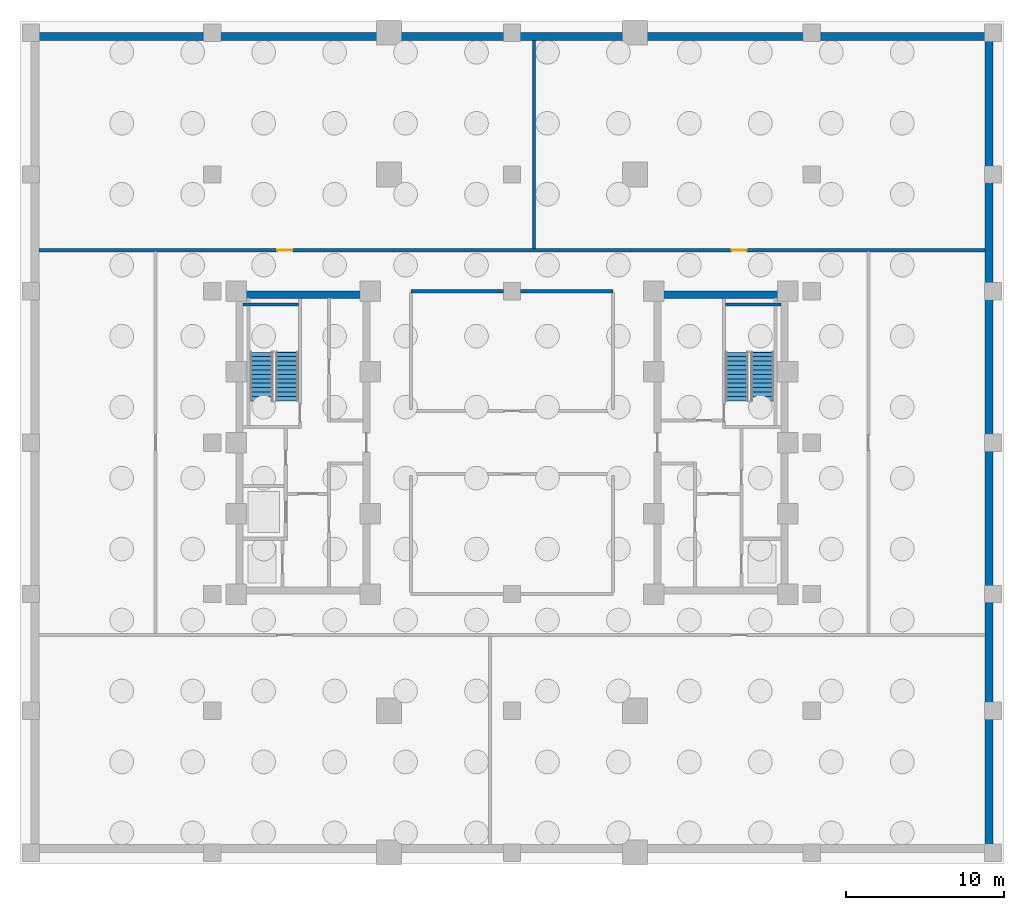
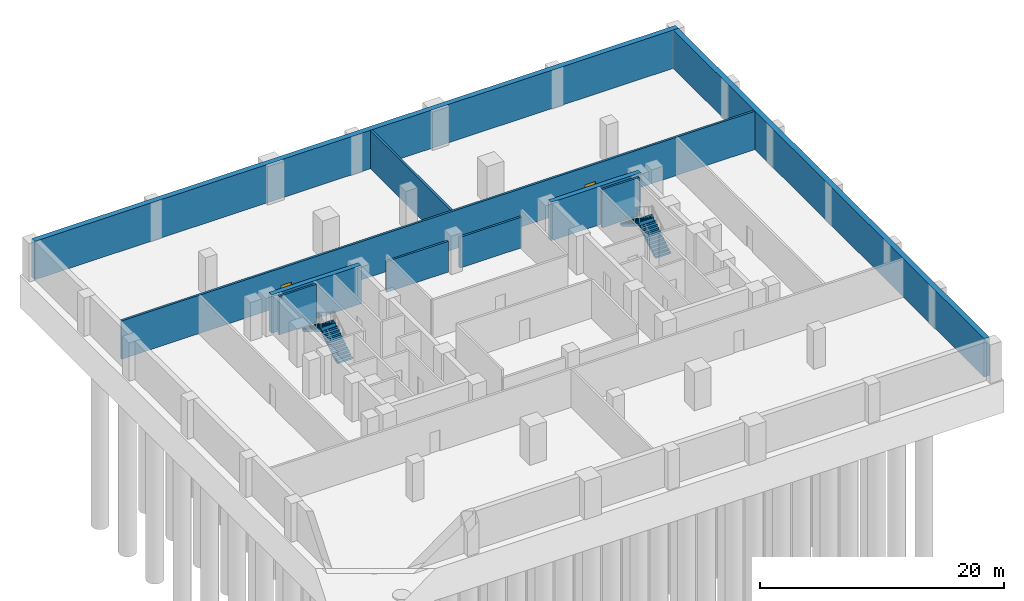
# One storey, part 4 of 6: 10 walls, 4 stair flights, 2 doors, 2 openings, 2 elements without a shape of their own.
"""IFC4 building model written with IfcOpenShell, lengths in metres."""

from ifc_helpers import new_model, si_unit, direction, frame, frame_2d, origin, place, context, subcontext, project, spatial, polyline, rectangle, outline, extrude, source, transform, mapped, material, layer, layer_set, type_object, type_shapes, element, fill, aggregate, save


model = new_model("IFC4")

# Units and contexts
model_context = context("Model", 3, precision=1e-05, world=origin(), true_north=direction((0.0, 1.0)))
body_context = subcontext(model_context, "Body", "Model", "MODEL_VIEW")
ifc_project = project(units=[si_unit("LENGTHUNIT", "METRE"), si_unit("AREAUNIT", "SQUARE_METRE"), si_unit("VOLUMEUNIT", "CUBIC_METRE"), si_unit("PLANEANGLEUNIT", "RADIAN"), si_unit("MASSUNIT", "GRAM", prefix="KILO")], contexts=[model_context])

# Site, building, storey
site_placement = place(None, origin())
site = spatial("IfcSite", under=ifc_project, at=site_placement, CompositionType="ELEMENT")
building_placement = place(site_placement, origin())
building = spatial("IfcBuilding", under=site, at=building_placement, Name="Nuvemarco Arch Tower", CompositionType="ELEMENT")
storey_placement = place(building_placement, frame((0.0, 0.0, -8.39990234375)))
storey = spatial("IfcBuildingStorey", under=building, at=storey_placement, Name="B02", CompositionType="ELEMENT", Elevation=-8.39990234375)

# Walls
ifc_material_1 = material(Name="Concrete C60/75", Category="concrete")
ifc_layer_1 = layer(ifc_material_1, 0.449951171875, Name="WL-CORE-450")
ifc_layer_set_1 = layer_set([ifc_layer_1], Name="Concrete C60/75")
wall_type_1 = type_object("IfcWallType", Name="WL-CORE-450", PredefinedType="SHEAR", material=ifc_layer_set_1)
for number, where, z_axis, x_axis, name in (
    (1, (-17.5, 9.375, 0.0), (0.0, 0.0, 1.0), (1.0, 0.0, 0.0), "B02 W-core shear wall N"),
    (2, (9.0, 9.375, 0.0), (0.0, 0.0, 1.0), (1.0, 0.0, 0.0), "B02 E-core shear wall N"),
):
    element("IfcWall", number, at=place(storey_placement, frame(where, z_axis=z_axis, x_axis=x_axis)), inside=storey, type_object=wall_type_1, Name=name, PredefinedType="SHEAR", context=body_context, shape_type="SweptSolid", body=[
        extrude(rectangle(XDim=8.5, YDim=0.449951171875, at=frame_2d((4.25, 0.0))), origin(), (0.0, 0.0, 1.0), 3.849853515625),
    ])
ifc_material_2 = material(Name="Precast concrete C45/55", Category="concrete")
ifc_layer_2 = layer(ifc_material_2, 0.199951171875, Name="WL-PLANT-200")
ifc_layer_set_2 = layer_set([ifc_layer_2], Name="Precast concrete C45/55")
wall_type_2 = type_object("IfcWallType", Name="WL-PLANT-200", PredefinedType="STANDARD", material=ifc_layer_set_2)
for number, where, z_axis, x_axis, name in (
    (3, (-6.39990234375, 9.60009765625, 0.0), (0.0, 0.0, 1.0), (1.0, 0.0, 0.0), "B02 interior wall IW-B02-006"),
    (4, (0.5458984375, 9.60009765625, 0.0), (0.0, 0.0, 1.0), (1.0, 0.0, 0.0), "B02 interior wall IW-B02-007"),
):
    element("IfcWall", number, at=place(storey_placement, frame(where, z_axis=z_axis, x_axis=x_axis)), inside=storey, type_object=wall_type_2, Name=name, PredefinedType="STANDARD", context=body_context, shape_type="SweptSolid", body=[
        extrude(rectangle(XDim=5.85400390625, YDim=0.199951171875, at=frame_2d((2.927001953125, 0.0))), origin(), (0.0, 0.0, 1.0), 3.0849609375),
    ])

# Wall, openings, doors
wall_1_placement = place(storey_placement, frame((-30.0, 12.199951171875, 0.0), z_axis=(0.0, 0.0, 1.0), x_axis=(1.0, 0.0, 0.0)))
wall_1 = element("IfcWall", 5, at=wall_1_placement, inside=storey, type_object=wall_type_2, Name="B02 interior wall IW-B02-008", PredefinedType="STANDARD", context=body_context, shape_type="SweptSolid", body=[
    extrude(rectangle(XDim=60.0, YDim=0.199951171875, at=frame_2d((30.0, 0.0))), origin(), (0.0, 0.0, 1.0), 3.83984375),
])
opening_1_placement = place(wall_1_placement, frame((15.1201171875, 0.0, 0.0)))
opening_1 = element("IfcOpeningElement", 6, at=opening_1_placement, cuts=wall_1, Name="Opening FD-5", PredefinedType="OPENING", context=body_context, shape_type="SweptSolid", body=[
    extrude(rectangle(XDim=0.9599609375, YDim=2.10009765625, at=frame_2d((0.47998046875, 1.050048828125))), frame((0.0, 0.10986328125, 0.0), z_axis=(0.0, -1.0, 0.0), x_axis=(1.0, 0.0, 0.0)), (0.0, 0.0, 1.0), 0.219970703125),
])
opening_2_placement = place(wall_1_placement, frame((43.919921875, 0.0, 0.0)))
opening_2 = element("IfcOpeningElement", 7, at=opening_2_placement, cuts=wall_1, Name="Opening FD-5", PredefinedType="OPENING", context=body_context, shape_type="SweptSolid", body=[
    extrude(rectangle(XDim=0.9599609375, YDim=2.10009765625, at=frame_2d((0.47998046875, 1.050048828125))), frame((0.0, 0.10986328125, 0.0), z_axis=(0.0, -1.0, 0.0), x_axis=(1.0, 0.0, 0.0)), (0.0, 0.0, 1.0), 0.219970703125),
])
ifc_material_3 = material(Name="Timber fire door", Category="wood")
door_type = type_object("IfcDoorType", Name="DR-CORR-FD", OperationType="NOTDEFINED", PredefinedType="DOOR", material=ifc_material_3)
shared_shape = source(origin(), body_context, "Body", "SweptSolid", [
    extrude(rectangle(XDim=0.9599609375, YDim=2.10009765625, at=frame_2d((0.47998046875, 1.050048828125))), frame((0.0, 0.02490234375, 0.0), z_axis=(0.0, -1.0, 0.0), x_axis=(1.0, 0.0, 0.0)), (0.0, 0.0, 1.0), 0.050048828125),
])
type_shapes(door_type, [shared_shape])
door_1_placement = place(opening_1_placement, origin())
door_1 = element("IfcDoor", 8, at=door_1_placement, inside=storey, type_object=door_type, Name="B02 door DR-B02-B02_PUMP", OperationType="SINGLE_SWING_RIGHT", OverallHeight=2.10009765625, OverallWidth=0.9599609375, PredefinedType="DOOR", context=body_context, shape_type="MappedRepresentation", body=[
    mapped(shared_shape, transform((0.0, 0.0, 0.0), scale=1.0)),
])
fill(opening_1, door_1)
door_2_placement = place(opening_2_placement, origin())
door_2 = element("IfcDoor", 9, at=door_2_placement, inside=storey, type_object=door_type, Name="B02 door DR-B02-B02_HEAT", OperationType="SINGLE_SWING_LEFT", OverallHeight=2.10009765625, OverallWidth=0.9599609375, PredefinedType="DOOR", context=body_context, shape_type="MappedRepresentation", body=[
    mapped(shared_shape, transform((0.0, 0.0, 0.0), scale=1.0)),
])
fill(opening_2, door_2)

# Walls
wall_2_placement = place(storey_placement, frame((1.39990234375, 12.2958984375, 0.0), z_axis=(0.0, 0.0, 1.0), x_axis=(0.0, 1.0, 0.0)))
element("IfcWall", 10, at=wall_2_placement, inside=storey, type_object=wall_type_2, Name="B02 interior wall IW-B02-013", PredefinedType="STANDARD", context=body_context, shape_type="SweptSolid", body=[
    extrude(rectangle(XDim=13.2041015625, YDim=0.199951171875, at=frame_2d((6.60205078125, 0.0))), origin(), (0.0, 0.0, 1.0), 3.83984375),
])
ifc_material_4 = material(Name="Concrete C50/60", Category="concrete")
ifc_layer_3 = layer(ifc_material_4, 0.5, Name="WL-RET-500")
ifc_layer_set_3 = layer_set([ifc_layer_3], Name="Concrete C50/60")
wall_type_3 = type_object("IfcWallType", Name="WL-RET-500", PredefinedType="SOLIDWALL", material=ifc_layer_set_3)
wall_3_placement = place(storey_placement, frame((-30.5, 25.75, 0.0), z_axis=(0.0, 0.0, 1.0), x_axis=(1.0, 0.0, 0.0)))
element("IfcWall", 11, at=wall_3_placement, inside=storey, type_object=wall_type_3, Name="B02 perimeter retaining wall N", PredefinedType="SOLIDWALL", context=body_context, shape_type="SweptSolid", body=[
    extrude(rectangle(XDim=61.0, YDim=0.5, at=frame_2d((30.5, 0.0))), origin(), (0.0, 0.0, 1.0), 3.849853515625),
])
wall_4_placement = place(storey_placement, frame((30.25, -25.5048828125, 0.0), z_axis=(0.0, 0.0, 1.0), x_axis=(0.0, 1.0, 0.0)))
element("IfcWall", 12, at=wall_4_placement, inside=storey, type_object=wall_type_3, Name="B02 perimeter retaining wall E", PredefinedType="SOLIDWALL", context=body_context, shape_type="SweptSolid", body=[
    extrude(rectangle(XDim=51.009765625, YDim=0.5, at=frame_2d((25.5048828125, 0.0))), origin(), (0.0, 0.0, 1.0), 3.849853515625),
])
ifc_layer_4 = layer(ifc_material_4, 0.199951171875, Name="WL-SHAFT-220")
ifc_layer_set_4 = layer_set([ifc_layer_4], Name="Concrete C50/60")
wall_type_4 = type_object("IfcWallType", Name="WL-SHAFT-220", PredefinedType="SHEAR", material=ifc_layer_set_4)
for number, where, z_axis, x_axis, name in (
    (13, (-17.054931640625, 8.75, 0.0), (0.0, 0.0, 1.0), (1.0, 0.0, 0.0), "B02 structural shaft wall SW-B02-W-ST1N"),
    (14, (13.534912109375, 8.75, 0.0), (0.0, 0.0, 1.0), (1.0, 0.0, 0.0), "B02 structural shaft wall SW-B02-E-ST2N"),
):
    element("IfcWall", number, at=place(storey_placement, frame(where, z_axis=z_axis, x_axis=x_axis)), inside=storey, type_object=wall_type_4, Name=name, PredefinedType="SHEAR", context=body_context, shape_type="SweptSolid", body=[
        extrude(rectangle(XDim=3.52001953125, YDim=0.199951171875, at=frame_2d((1.760009765625, 0.0))), origin(), (0.0, 0.0, 1.0), 3.849853515625),
    ])

# Stair, stair flights
stair_type = type_object("IfcStairType", Name="ST-CORE-24R", PredefinedType="HALF_TURN_STAIR", material=ifc_material_2)
stair_1_placement = place(storey_placement, origin())
stair_1 = element("IfcStair", 15, at=stair_1_placement, inside=storey, type_object=stair_type, Name="B02 Protected Exit Stair ST-1", PredefinedType="HALF_TURN_STAIR")
stair_flight_type = type_object("IfcStairFlightType", Name="SF-CORE-24R", PredefinedType="STRAIGHT", material=ifc_material_2)
stair_flight_1_placement = place(storey_placement, frame((-14.264892578125, 2.64990234375, 0.0), z_axis=(0.0, 0.0, 1.0), x_axis=(0.0, 1.0, 0.0)))
stair_flight_1 = element("IfcStairFlight", 16, at=stair_flight_1_placement, type_object=stair_flight_type, Name="ST-24R flight 1", NumberOfRisers=12, NumberOfTreads=11, PredefinedType="STRAIGHT", RiserHeight=0.175, TreadLength=0.28, context=body_context, shape_type="SweptSolid", body=[
    extrude(outline(polyline([(0.0, 0.0), (0.0, 0.175048828125), (0.280029296875, 0.175048828125), (0.280029296875, 0.35009765625), (0.56005859375, 0.35009765625), (0.56005859375, 0.52490234375), (0.840087890625, 0.52490234375), (0.840087890625, 0.699951171875), (1.1201171875, 0.699951171875), (1.1201171875, 0.875), (1.39990234375, 0.875), (1.39990234375, 1.050048828125), (1.679931640625, 1.050048828125), (1.679931640625, 1.22509765625), (1.9599609375, 1.22509765625), (1.9599609375, 1.39990234375), (2.239990234375, 1.39990234375), (2.239990234375, 1.574951171875), (2.52001953125, 1.574951171875), (2.52001953125, 1.75), (2.800048828125, 1.75), (2.800048828125, 1.925048828125), (3.080078125, 1.925048828125), (3.080078125, 2.10009765625), (3.10009765625, 2.10009765625), (3.10009765625, 1.736328125), (0.32177734375, 0.0), (0.0, 0.0)])), frame((0.0, 0.72509765625, 0.0), z_axis=(0.0, -1.0, 0.0), x_axis=(1.0, 0.0, 0.0)), (0.0, 0.0, 1.0), 1.449951171875),
])
stair_flight_2_placement = place(storey_placement, frame((-15.875, 5.72998046875, 2.099853515625), z_axis=(0.0, 0.0, 1.0), x_axis=(0.0, -1.0, 0.0)))
stair_flight_2 = element("IfcStairFlight", 17, at=stair_flight_2_placement, type_object=stair_flight_type, Name="ST-24R flight 2", NumberOfRisers=12, NumberOfTreads=11, PredefinedType="STRAIGHT", RiserHeight=0.175, TreadLength=0.28, context=body_context, shape_type="SweptSolid", body=[
    extrude(outline(polyline([(0.0, 0.0), (0.0, 0.175048828125), (0.280029296875, 0.175048828125), (0.280029296875, 0.35009765625), (0.56005859375, 0.35009765625), (0.56005859375, 0.52490234375), (0.840087890625, 0.52490234375), (0.840087890625, 0.699951171875), (1.1201171875, 0.699951171875), (1.1201171875, 0.875), (1.39990234375, 0.875), (1.39990234375, 1.050048828125), (1.679931640625, 1.050048828125), (1.679931640625, 1.22509765625), (1.9599609375, 1.22509765625), (1.9599609375, 1.39990234375), (2.239990234375, 1.39990234375), (2.239990234375, 1.574951171875), (2.52001953125, 1.574951171875), (2.52001953125, 1.75), (2.800048828125, 1.75), (2.800048828125, 1.925048828125), (3.080078125, 1.925048828125), (3.080078125, 2.10009765625), (3.10009765625, 2.10009765625), (3.10009765625, 1.736328125), (0.32177734375, 0.0), (0.0, 0.0)])), frame((0.0, 0.72509765625, 0.0), z_axis=(0.0, -1.0, 0.0), x_axis=(1.0, 0.0, 0.0)), (0.0, 0.0, 1.0), 1.449951171875),
])
aggregate(stair_1, [stair_flight_1, stair_flight_2])

stair_2_placement = place(storey_placement, origin())
stair_2 = element("IfcStair", 18, at=stair_2_placement, inside=storey, type_object=stair_type, Name="B02 Protected Exit Stair ST-2", PredefinedType="HALF_TURN_STAIR")
stair_flight_3_placement = place(storey_placement, frame((15.875, 2.64990234375, 0.0), z_axis=(0.0, 0.0, 1.0), x_axis=(0.0, 1.0, 0.0)))
stair_flight_3 = element("IfcStairFlight", 19, at=stair_flight_3_placement, type_object=stair_flight_type, Name="ST-24R flight 1", NumberOfRisers=12, NumberOfTreads=11, PredefinedType="STRAIGHT", RiserHeight=0.175, TreadLength=0.28, context=body_context, shape_type="SweptSolid", body=[
    extrude(outline(polyline([(0.0, 0.0), (0.0, 0.175048828125), (0.280029296875, 0.175048828125), (0.280029296875, 0.35009765625), (0.56005859375, 0.35009765625), (0.56005859375, 0.52490234375), (0.840087890625, 0.52490234375), (0.840087890625, 0.699951171875), (1.1201171875, 0.699951171875), (1.1201171875, 0.875), (1.39990234375, 0.875), (1.39990234375, 1.050048828125), (1.679931640625, 1.050048828125), (1.679931640625, 1.22509765625), (1.9599609375, 1.22509765625), (1.9599609375, 1.39990234375), (2.239990234375, 1.39990234375), (2.239990234375, 1.574951171875), (2.52001953125, 1.574951171875), (2.52001953125, 1.75), (2.800048828125, 1.75), (2.800048828125, 1.925048828125), (3.080078125, 1.925048828125), (3.080078125, 2.10009765625), (3.10009765625, 2.10009765625), (3.10009765625, 1.736328125), (0.32177734375, 0.0), (0.0, 0.0)])), frame((0.0, 0.72509765625, 0.0), z_axis=(0.0, -1.0, 0.0), x_axis=(1.0, 0.0, 0.0)), (0.0, 0.0, 1.0), 1.449951171875),
])
stair_flight_4_placement = place(storey_placement, frame((14.264892578125, 5.72998046875, 2.099853515625), z_axis=(0.0, 0.0, 1.0), x_axis=(0.0, -1.0, 0.0)))
stair_flight_4 = element("IfcStairFlight", 20, at=stair_flight_4_placement, type_object=stair_flight_type, Name="ST-24R flight 2", NumberOfRisers=12, NumberOfTreads=11, PredefinedType="STRAIGHT", RiserHeight=0.175, TreadLength=0.28, context=body_context, shape_type="SweptSolid", body=[
    extrude(outline(polyline([(0.0, 0.0), (0.0, 0.175048828125), (0.280029296875, 0.175048828125), (0.280029296875, 0.35009765625), (0.56005859375, 0.35009765625), (0.56005859375, 0.52490234375), (0.840087890625, 0.52490234375), (0.840087890625, 0.699951171875), (1.1201171875, 0.699951171875), (1.1201171875, 0.875), (1.39990234375, 0.875), (1.39990234375, 1.050048828125), (1.679931640625, 1.050048828125), (1.679931640625, 1.22509765625), (1.9599609375, 1.22509765625), (1.9599609375, 1.39990234375), (2.239990234375, 1.39990234375), (2.239990234375, 1.574951171875), (2.52001953125, 1.574951171875), (2.52001953125, 1.75), (2.800048828125, 1.75), (2.800048828125, 1.925048828125), (3.080078125, 1.925048828125), (3.080078125, 2.10009765625), (3.10009765625, 2.10009765625), (3.10009765625, 1.736328125), (0.32177734375, 0.0), (0.0, 0.0)])), frame((0.0, 0.72509765625, 0.0), z_axis=(0.0, -1.0, 0.0), x_axis=(1.0, 0.0, 0.0)), (0.0, 0.0, 1.0), 1.449951171875),
])
aggregate(stair_2, [stair_flight_3, stair_flight_4])

save(model, "model.ifc")
